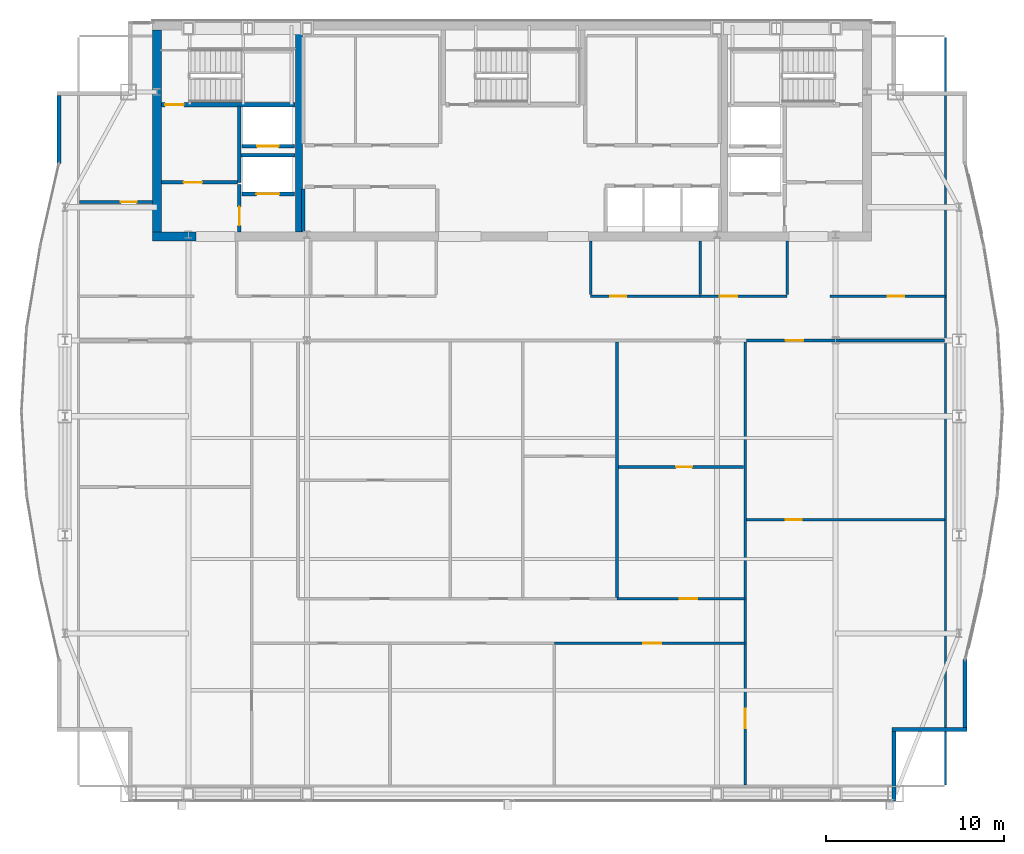
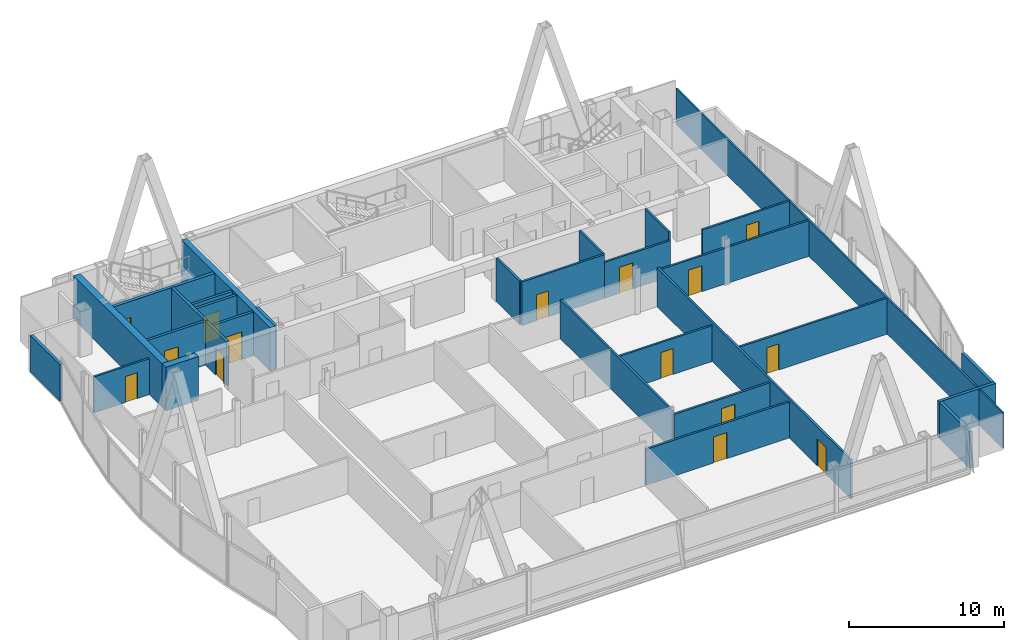
# One storey, part 27 of 31: 30 walls, 15 doors, 15 openings.
"""IFC4 building model written with IfcOpenShell, lengths in metres."""

from ifc_helpers import new_model, si_unit, direction, frame, frame_2d, origin, place, context, subcontext, project, spatial, rectangle, extrude, material, layer, layer_set, type_object, element, fill, save


model = new_model("IFC4")

# Units and contexts
model_context = context("Model", 3, precision=1e-05, world=origin(), true_north=direction((0.0, 1.0)))
body_context = subcontext(model_context, "Body", "Model", "MODEL_VIEW")
ifc_project = project(units=[si_unit("LENGTHUNIT", "METRE"), si_unit("AREAUNIT", "SQUARE_METRE"), si_unit("VOLUMEUNIT", "CUBIC_METRE"), si_unit("PLANEANGLEUNIT", "RADIAN"), si_unit("MASSUNIT", "GRAM", prefix="KILO")], contexts=[model_context])

# Site, building, storey
site_placement = place(None, origin())
site = spatial("IfcSite", under=ifc_project, at=site_placement, CompositionType="ELEMENT")
building_placement = place(site_placement, origin())
building = spatial("IfcBuilding", under=site, at=building_placement, Name="Khoronbel Lancet Exchange", CompositionType="ELEMENT")
storey_placement = place(building_placement, frame((0.0, 0.0, 325.39990234375)))
storey = spatial("IfcBuildingStorey", under=building, at=storey_placement, Name="L84", CompositionType="ELEMENT", Elevation=325.39990234375)

# Walls
ifc_material_1 = material(Name="Concrete C60/75", Category="concrete")
ifc_layer_1 = layer(ifc_material_1, 0.5, Name="Concrete C60/75")
ifc_layer_set_1 = layer_set([ifc_layer_1], Name="Concrete C60/75")
wall_type_1 = type_object("IfcWallType", Name="WL-CW4", PredefinedType="SHEAR", material=ifc_layer_set_1)
wall_1_placement = place(storey_placement, frame((16.449951171875, 41.800048828125, 0.0), z_axis=(0.0, 0.0, 1.0), x_axis=(0.0, 1.0, 0.0)))
element("IfcWall", 1, at=wall_1_placement, inside=storey, type_object=wall_type_1, Name="Level L84 rear core west shear wall", PredefinedType="SHEAR", context=body_context, shape_type="SweptSolid", body=[
    extrude(rectangle(XDim=11.39990234375, YDim=0.5, at=frame_2d((5.699951171875, 0.0))), origin(), (0.0, 0.0, 1.0), 3.440185546875),
])
wall_2_placement = place(storey_placement, frame((18.64990234375, 41.550048828125, 0.0), z_axis=(0.0, 0.0, 1.0), x_axis=(-1.0, 0.0, 0.0)))
element("IfcWall", 2, at=wall_2_placement, inside=storey, type_object=wall_type_1, Name="Level L84 rear core south shear wall pier P1", PredefinedType="SHEAR", context=body_context, shape_type="SweptSolid", body=[
    extrude(rectangle(XDim=2.449951171875, YDim=0.5, at=frame_2d((1.22509765625, 0.0))), origin(), (0.0, 0.0, 1.0), 3.440185546875),
])
ifc_material_2 = material(Name="Precast concrete C40/50", Category="concrete")
ifc_layer_2 = layer(ifc_material_2, 0.25, Name="Precast concrete C40/50")
ifc_layer_set_2 = layer_set([ifc_layer_2], Name="Precast concrete C40/50")
wall_type_2 = type_object("IfcWallType", Name="WL-EXT250", PredefinedType="SOLIDWALL", material=ifc_layer_set_2)
for number, where, z_axis, x_axis, name in (
    (3, (10.93994140625, 45.669921875, 0.0), (0.0, 0.0, 1.0), (0.0, 1.0, 0.0), "Level L84 notched-corner limestone pier 10"),
    (4, (61.9599609375, 17.72998046875, 0.0), (0.0, 0.0, 1.0), (0.0, -1.0, 0.0), "Level L84 notched-corner limestone pier 23"),
):
    element("IfcWall", number, at=place(storey_placement, frame(where, z_axis=z_axis, x_axis=x_axis)), inside=storey, type_object=wall_type_2, Name=name, PredefinedType="SOLIDWALL", context=body_context, shape_type="SweptSolid", body=[
        extrude(rectangle(XDim=3.830078125, YDim=0.219970703125, at=frame_2d((1.9150390625, 0.0))), origin(), (0.0, 0.0, 1.0), 2.880126953125),
    ])
wall_3_placement = place(storey_placement, frame((62.070068359375, 13.7900390625, 0.0), z_axis=(0.0, 0.0, 1.0), x_axis=(-1.0, 0.0, 0.0)))
element("IfcWall", 5, at=wall_3_placement, inside=storey, type_object=wall_type_2, Name="Level L84 notched-corner limestone pier 24", PredefinedType="SOLIDWALL", context=body_context, shape_type="SweptSolid", body=[
    extrude(rectangle(XDim=4.219970703125, YDim=0.219970703125, at=frame_2d((2.10986328125, 0.0))), origin(), (0.0, 0.0, 1.0), 2.880126953125),
])
wall_4_placement = place(storey_placement, frame((57.9599609375, 13.679931640625, 0.0), z_axis=(0.0, 0.0, 1.0), x_axis=(0.0, -1.0, 0.0)))
element("IfcWall", 6, at=wall_4_placement, inside=storey, type_object=wall_type_2, Name="Level L84 notched-corner limestone pier 25", PredefinedType="SOLIDWALL", context=body_context, shape_type="SweptSolid", body=[
    extrude(rectangle(XDim=3.909912109375, YDim=0.219970703125, at=frame_2d((1.955078125, 0.0))), origin(), (0.0, 0.0, 1.0), 2.880126953125),
])
ifc_material_3 = material(Name="Acoustic Metal-Stud & Mineral-Wool Gypsum Partition 120 mm", Category="gypsum")
ifc_layer_3 = layer(ifc_material_3, 0.1201171875, Name="Acoustic Metal-Stud & Mineral-Wool Gypsum Partition 120 mm")
ifc_layer_set_3 = layer_set([ifc_layer_3], Name="Acoustic Metal-Stud & Mineral-Wool Gypsum Partition 120 mm")
wall_type_3 = type_object("IfcWallType", Name="WL-PRT120", PredefinedType="PARTITIONING", material=ifc_layer_set_3)
for number, where, z_axis, x_axis, name in (
    (7, (40.8798828125, 38.280029296875, 0.0), (0.0, 0.0, 1.0), (0.0, 1.0, 0.0), "Level L84 interior partition PW-NP-0"),
    (8, (47.050048828125, 38.280029296875, 0.0), (0.0, 0.0, 1.0), (0.0, 1.0, 0.0), "Level L84 interior partition PW-NP-M"),
    (9, (51.949951171875, 38.280029296875, 0.0), (0.0, 0.0, 1.0), (0.0, 1.0, 0.0), "Level L84 interior partition PW-NP-1"),
):
    element("IfcWall", number, at=place(storey_placement, frame(where, z_axis=z_axis, x_axis=x_axis)), inside=storey, type_object=wall_type_3, Name=name, PredefinedType="PARTITIONING", context=body_context, shape_type="SweptSolid", body=[
        extrude(rectangle(XDim=3.02001953125, YDim=0.14990234375, at=frame_2d((1.510009765625, 0.0))), origin(), (0.0, 0.0, 1.0), 3.440185546875),
    ])

# Wall, opening, door
wall_5_placement = place(storey_placement, frame((12.094970703125, 43.5, 0.0), z_axis=(0.0, 0.0, 1.0), x_axis=(1.0, 0.0, 0.0)))
wall_5 = element("IfcWall", 10, at=wall_5_placement, inside=storey, type_object=wall_type_3, Name="Level L84 interior partition PW-NW-H", PredefinedType="PARTITIONING", context=body_context, shape_type="SweptSolid", body=[
    extrude(rectangle(XDim=4.10498046875, YDim=0.14990234375, at=frame_2d((2.052490234375, 0.0))), origin(), (0.0, 0.0, 1.0), 2.830078125),
])
opening_1_placement = place(wall_5_placement, frame((2.320068359375, 0.0, 0.0)))
opening_1 = element("IfcOpeningElement", 11, at=opening_1_placement, cuts=wall_5, Name="Opening D5", PredefinedType="OPENING", context=body_context, shape_type="SweptSolid", body=[
    extrude(rectangle(XDim=0.89990234375, YDim=2.050048828125, at=frame_2d((0.449951171875, 1.02490234375))), frame((0.0, 0.0849609375, 0.0), z_axis=(0.0, -1.0, 0.0), x_axis=(1.0, 0.0, 0.0)), (0.0, 0.0, 1.0), 0.169921875),
])
ifc_material_4 = material(Name="Acoustic Timber Pantry & Support Door", Category="wood")
door_type_1 = type_object("IfcDoorType", Name="DR-D5", OperationType="NOTDEFINED", PredefinedType="DOOR", material=ifc_material_4)
door_1_placement = place(opening_1_placement, origin())
door_1 = element("IfcDoor", 12, at=door_1_placement, inside=storey, type_object=door_type_1, Name="NW north room door L84-1", OperationType="SINGLE_SWING_RIGHT", OverallHeight=2.050048828125, OverallWidth=0.89990234375, PredefinedType="DOOR", context=body_context, shape_type="SweptSolid", body=[
    extrude(rectangle(XDim=0.89990234375, YDim=2.050048828125, at=frame_2d((0.449951171875, 1.02490234375))), frame((0.0, 0.02490234375, 0.0), z_axis=(0.0, -1.0, 0.0), x_axis=(1.0, 0.0, 0.0)), (0.0, 0.0, 1.0), 0.050048828125),
])
fill(opening_1, door_1)

wall_6_placement = place(storey_placement, frame((49.659912109375, 25.60009765625, 0.0), z_axis=(0.0, 0.0, 1.0), x_axis=(1.0, 0.0, 0.0)))
wall_6 = element("IfcWall", 13, at=wall_6_placement, inside=storey, type_object=wall_type_3, Name="Level L84 interior partition PW-Z4-EH", PredefinedType="PARTITIONING", context=body_context, shape_type="SweptSolid", body=[
    extrude(rectangle(XDim=11.14501953125, YDim=0.14990234375, at=frame_2d((5.572509765625, 0.0))), origin(), (0.0, 0.0, 1.0), 2.830078125),
])
opening_2_placement = place(wall_6_placement, frame((2.199951171875, 0.0, 0.0)))
opening_2 = element("IfcOpeningElement", 14, at=opening_2_placement, cuts=wall_6, Name="Opening D5", PredefinedType="OPENING", context=body_context, shape_type="SweptSolid", body=[
    extrude(rectangle(XDim=0.89990234375, YDim=2.050048828125, at=frame_2d((0.449951171875, 1.02490234375))), frame((0.0, 0.0849609375, 0.0), z_axis=(0.0, -1.0, 0.0), x_axis=(1.0, 0.0, 0.0)), (0.0, 0.0, 1.0), 0.169921875),
])
door_2_placement = place(opening_2_placement, origin())
door_2 = element("IfcDoor", 15, at=door_2_placement, inside=storey, type_object=door_type_1, Name="East lens inner door L84-1", OperationType="SINGLE_SWING_LEFT", OverallHeight=2.050048828125, OverallWidth=0.89990234375, PredefinedType="DOOR", context=body_context, shape_type="SweptSolid", body=[
    extrude(rectangle(XDim=0.89990234375, YDim=2.050048828125, at=frame_2d((0.449951171875, 1.02490234375))), frame((0.0, 0.02490234375, 0.0), z_axis=(0.0, -1.0, 0.0), x_axis=(1.0, 0.0, 0.0)), (0.0, 0.0, 1.0), 0.050048828125),
])
fill(opening_2, door_2)

wall_7_placement = place(storey_placement, frame((42.447998046875, 28.572265625, 0.0), z_axis=(0.0, 0.0, 1.0), x_axis=(1.0, 0.0, 0.0)))
wall_7 = element("IfcWall", 16, at=wall_7_placement, inside=storey, type_object=wall_type_3, Name="Level L84 interior partition PW-Z4C-H4", PredefinedType="PARTITIONING", context=body_context, shape_type="SweptSolid", body=[
    extrude(rectangle(XDim=7.052001953125, YDim=0.14990234375, at=frame_2d((3.52587890625, 0.0))), origin(), (0.0, 0.0, 1.0), 2.830078125),
])
opening_3_placement = place(wall_7_placement, frame((3.245361328125, 0.0, 0.0)))
opening_3 = element("IfcOpeningElement", 17, at=opening_3_placement, cuts=wall_7, Name="Opening D5", PredefinedType="OPENING", context=body_context, shape_type="SweptSolid", body=[
    extrude(rectangle(XDim=0.89990234375, YDim=2.050048828125, at=frame_2d((0.449951171875, 1.02490234375))), frame((0.0, 0.0849609375, 0.0), z_axis=(0.0, -1.0, 0.0), x_axis=(1.0, 0.0, 0.0)), (0.0, 0.0, 1.0), 0.169921875),
])
door_3_placement = place(opening_3_placement, origin())
door_3 = element("IfcDoor", 18, at=door_3_placement, inside=storey, type_object=door_type_1, Name="Z4C inner door 4 L84-1", OperationType="SINGLE_SWING_RIGHT", OverallHeight=2.050048828125, OverallWidth=0.89990234375, PredefinedType="DOOR", context=body_context, shape_type="SweptSolid", body=[
    extrude(rectangle(XDim=0.89990234375, YDim=2.050048828125, at=frame_2d((0.449951171875, 1.02490234375))), frame((0.0, 0.02490234375, 0.0), z_axis=(0.0, -1.0, 0.0), x_axis=(1.0, 0.0, 0.0)), (0.0, 0.0, 1.0), 0.050048828125),
])
fill(opening_3, door_3)

# Wall
wall_8_placement = place(storey_placement, frame((60.8701171875, 10.6650390625, 0.0), z_axis=(0.0, 0.0, 1.0), x_axis=(0.0, 1.0, 0.0)))
element("IfcWall", 19, at=wall_8_placement, inside=storey, type_object=wall_type_3, Name="Level L84 interior partition PW-LIN-E", PredefinedType="PARTITIONING", context=body_context, shape_type="SweptSolid", body=[
    extrude(rectangle(XDim=42.10986328125, YDim=0.1201171875, at=frame_2d((21.054931640625, 0.0))), origin(), (0.0, 0.0, 1.0), 2.830078125),
])

# Wall, opening, door
ifc_material_5 = material(Name="Fire-Rated Twin-Stud Acoustic Gypsum Partition 150 mm", Category="gypsum")
ifc_layer_4 = layer(ifc_material_5, 0.14990234375, Name="Fire-Rated Twin-Stud Acoustic Gypsum Partition 150 mm")
ifc_layer_set_4 = layer_set([ifc_layer_4], Name="Fire-Rated Twin-Stud Acoustic Gypsum Partition 150 mm")
wall_type_4 = type_object("IfcWallType", Name="WL-PRT150C", PredefinedType="PARTITIONING", material=ifc_layer_set_4)
wall_9_placement = place(storey_placement, frame((40.8798828125, 38.199951171875, 0.0), z_axis=(0.0, 0.0, 1.0), x_axis=(1.0, 0.0, 0.0)))
wall_9 = element("IfcWall", 20, at=wall_9_placement, inside=storey, type_object=wall_type_4, Name="Level L84 interior partition PW-NP-S1", PredefinedType="PARTITIONING", context=body_context, shape_type="SweptSolid", body=[
    extrude(rectangle(XDim=6.170166015625, YDim=0.14990234375, at=frame_2d((3.0849609375, 0.0))), origin(), (0.0, 0.0, 1.0), 3.440185546875),
])
opening_4_placement = place(wall_9_placement, frame((1.10009765625, 0.0, 0.0)))
opening_4 = element("IfcOpeningElement", 21, at=opening_4_placement, cuts=wall_9, Name="Opening D5", PredefinedType="OPENING", context=body_context, shape_type="SweptSolid", body=[
    extrude(rectangle(XDim=0.89990234375, YDim=2.050048828125, at=frame_2d((0.449951171875, 1.02490234375))), frame((0.0, 0.0849609375, 0.0), z_axis=(0.0, -1.0, 0.0), x_axis=(1.0, 0.0, 0.0)), (0.0, 0.0, 1.0), 0.169921875),
])
door_4_placement = place(opening_4_placement, origin())
door_4 = element("IfcDoor", 22, at=door_4_placement, inside=storey, type_object=door_type_1, Name="Floor refreshment pantry door L84-1", OperationType="SINGLE_SWING_RIGHT", OverallHeight=2.050048828125, OverallWidth=0.89990234375, PredefinedType="DOOR", context=body_context, shape_type="SweptSolid", body=[
    extrude(rectangle(XDim=0.89990234375, YDim=2.050048828125, at=frame_2d((0.449951171875, 1.02490234375))), frame((0.0, 0.02490234375, 0.0), z_axis=(0.0, -1.0, 0.0), x_axis=(1.0, 0.0, 0.0)), (0.0, 0.0, 1.0), 0.050048828125),
])
fill(opening_4, door_4)

wall_10_placement = place(storey_placement, frame((47.050048828125, 38.199951171875, 0.0), z_axis=(0.0, 0.0, 1.0), x_axis=(1.0, 0.0, 0.0)))
wall_10 = element("IfcWall", 23, at=wall_10_placement, inside=storey, type_object=wall_type_4, Name="Level L84 interior partition PW-NP-S2", PredefinedType="PARTITIONING", context=body_context, shape_type="SweptSolid", body=[
    extrude(rectangle(XDim=4.89990234375, YDim=0.14990234375, at=frame_2d((2.449951171875, 0.0))), origin(), (0.0, 0.0, 1.0), 2.830078125),
])
opening_5_placement = place(wall_10_placement, frame((1.10009765625, 0.0, 0.0)))
opening_5 = element("IfcOpeningElement", 24, at=opening_5_placement, cuts=wall_10, Name="Opening D2", PredefinedType="OPENING", context=body_context, shape_type="SweptSolid", body=[
    extrude(rectangle(XDim=1.0, YDim=2.050048828125, at=frame_2d((0.5, 1.02490234375))), frame((0.0, 0.0849609375, 0.0), z_axis=(0.0, -1.0, 0.0), x_axis=(1.0, 0.0, 0.0)), (0.0, 0.0, 1.0), 0.169921875),
])
ifc_material_6 = material(Name="Acoustic Veneered Timber & Bronze Frame Door", Category="wood")
door_type_2 = type_object("IfcDoorType", Name="DR-D2", OperationType="NOTDEFINED", PredefinedType="DOOR", material=ifc_material_6)
door_5_placement = place(opening_5_placement, origin())
door_5 = element("IfcDoor", 25, at=door_5_placement, inside=storey, type_object=door_type_2, Name="Floor store door L84-1", OperationType="SINGLE_SWING_LEFT", OverallHeight=2.050048828125, OverallWidth=1.0, PredefinedType="DOOR", context=body_context, shape_type="SweptSolid", body=[
    extrude(rectangle(XDim=1.0, YDim=2.050048828125, at=frame_2d((0.5, 1.02490234375))), frame((0.0, 0.02490234375, 0.0), z_axis=(0.0, -1.0, 0.0), x_axis=(1.0, 0.0, 0.0)), (0.0, 0.0, 1.0), 0.050048828125),
])
fill(opening_5, door_5)

wall_11_placement = place(storey_placement, frame((54.35009765625, 38.199951171875, 0.0), z_axis=(0.0, 0.0, 1.0), x_axis=(1.0, 0.0, 0.0)))
wall_11 = element("IfcWall", 26, at=wall_11_placement, inside=storey, type_object=wall_type_4, Name="Level L84 interior partition PW-NE-S", PredefinedType="PARTITIONING", context=body_context, shape_type="SweptSolid", body=[
    extrude(rectangle(XDim=6.52001953125, YDim=0.14990234375, at=frame_2d((3.260009765625, 0.0))), origin(), (0.0, 0.0, 1.0), 2.830078125),
])
opening_6_placement = place(wall_11_placement, frame((3.25, 0.0, 0.0)))
opening_6 = element("IfcOpeningElement", 27, at=opening_6_placement, cuts=wall_11, Name="Opening D1", PredefinedType="OPENING", context=body_context, shape_type="SweptSolid", body=[
    extrude(rectangle(XDim=0.949951171875, YDim=2.050048828125, at=frame_2d((0.47509765625, 1.02490234375))), frame((0.0, 0.0849609375, 0.0), z_axis=(0.0, -1.0, 0.0), x_axis=(1.0, 0.0, 0.0)), (0.0, 0.0, 1.0), 0.169921875),
])
door_type_3 = type_object("IfcDoorType", Name="DR-D1", OperationType="NOTDEFINED", PredefinedType="DOOR", material=ifc_material_6)
door_6_placement = place(opening_6_placement, origin())
door_6 = element("IfcDoor", 28, at=door_6_placement, inside=storey, type_object=door_type_3, Name="NE corner room door L84-1", OperationType="SINGLE_SWING_LEFT", OverallHeight=2.050048828125, OverallWidth=0.949951171875, PredefinedType="DOOR", context=body_context, shape_type="SweptSolid", body=[
    extrude(rectangle(XDim=0.949951171875, YDim=2.050048828125, at=frame_2d((0.47509765625, 1.02490234375))), frame((0.0, 0.02490234375, 0.0), z_axis=(0.0, -1.0, 0.0), x_axis=(1.0, 0.0, 0.0)), (0.0, 0.0, 1.0), 0.050048828125),
])
fill(opening_6, door_6)

wall_12_placement = place(storey_placement, frame((49.580078125, 10.6650390625, 0.0), z_axis=(0.0, 0.0, 1.0), x_axis=(0.0, 1.0, 0.0)))
wall_12 = element("IfcWall", 29, at=wall_12_placement, inside=storey, type_object=wall_type_4, Name="Level L84 interior partition PW-Z4-PE", PredefinedType="PARTITIONING", context=body_context, shape_type="SweptSolid", body=[
    extrude(rectangle(XDim=24.955078125, YDim=0.14990234375, at=frame_2d((12.4775390625, 0.0))), origin(), (0.0, 0.0, 1.0), 3.070068359375),
])
opening_7_placement = place(wall_12_placement, frame((3.199951171875, 0.0, 0.0)))
opening_7 = element("IfcOpeningElement", 30, at=opening_7_placement, cuts=wall_12, Name="Opening D6", PredefinedType="OPENING", context=body_context, shape_type="SweptSolid", body=[
    extrude(rectangle(XDim=1.10009765625, YDim=2.10009765625, at=frame_2d((0.550048828125, 1.050048828125))), frame((0.0, 0.0849609375, 0.0), z_axis=(0.0, -1.0, 0.0), x_axis=(1.0, 0.0, 0.0)), (0.0, 0.0, 1.0), 0.169921875),
])
ifc_material_7 = material(Name="Acoustic Bronze-Veneer Executive Suite Door", Category="wood")
door_type_4 = type_object("IfcDoorType", Name="DR-D6", OperationType="NOTDEFINED", PredefinedType="DOOR", material=ifc_material_7)
door_7_placement = place(opening_7_placement, origin())
door_7 = element("IfcDoor", 31, at=door_7_placement, inside=storey, type_object=door_type_4, Name="East lens south door L84-1", OperationType="SINGLE_SWING_LEFT", OverallHeight=2.10009765625, OverallWidth=1.10009765625, PredefinedType="DOOR", context=body_context, shape_type="SweptSolid", body=[
    extrude(rectangle(XDim=1.10009765625, YDim=2.10009765625, at=frame_2d((0.550048828125, 1.050048828125))), frame((0.0, 0.02490234375, 0.0), z_axis=(0.0, -1.0, 0.0), x_axis=(1.0, 0.0, 0.0)), (0.0, 0.0, 1.0), 0.050048828125),
])
fill(opening_7, door_7)

wall_13_placement = place(storey_placement, frame((49.659912109375, 35.699951171875, 0.0), z_axis=(0.0, 0.0, 1.0), x_axis=(1.0, 0.0, 0.0)))
wall_13 = element("IfcWall", 32, at=wall_13_placement, inside=storey, type_object=wall_type_4, Name="Level L84 interior partition PW-Z4-EN2", PredefinedType="PARTITIONING", context=body_context, shape_type="SweptSolid", body=[
    extrude(rectangle(XDim=11.14501953125, YDim=0.14990234375, at=frame_2d((5.572509765625, 0.0))), origin(), (0.0, 0.0, 1.0), 2.830078125),
])
opening_8_placement = place(wall_13_placement, frame((2.199951171875, 0.0, 0.0)))
opening_8 = element("IfcOpeningElement", 33, at=opening_8_placement, cuts=wall_13, Name="Opening D2", PredefinedType="OPENING", context=body_context, shape_type="SweptSolid", body=[
    extrude(rectangle(XDim=1.0, YDim=2.050048828125, at=frame_2d((0.5, 1.02490234375))), frame((0.0, 0.0849609375, 0.0), z_axis=(0.0, -1.0, 0.0), x_axis=(1.0, 0.0, 0.0)), (0.0, 0.0, 1.0), 0.169921875),
])
door_8_placement = place(opening_8_placement, origin())
door_8 = element("IfcDoor", 34, at=door_8_placement, inside=storey, type_object=door_type_2, Name="East lens north door L84-1", OperationType="SINGLE_SWING_RIGHT", OverallHeight=2.050048828125, OverallWidth=1.0, PredefinedType="DOOR", context=body_context, shape_type="SweptSolid", body=[
    extrude(rectangle(XDim=1.0, YDim=2.050048828125, at=frame_2d((0.5, 1.02490234375))), frame((0.0, 0.02490234375, 0.0), z_axis=(0.0, -1.0, 0.0), x_axis=(1.0, 0.0, 0.0)), (0.0, 0.0, 1.0), 0.050048828125),
])
fill(opening_8, door_8)

# Wall
wall_14_placement = place(storey_placement, frame((42.3681640625, 21.235107421875, 0.0), z_axis=(0.0, 0.0, 1.0), x_axis=(0.0, 1.0, 0.0)))
element("IfcWall", 35, at=wall_14_placement, inside=storey, type_object=wall_type_4, Name="Level L84 interior partition PW-Z4C-V3", PredefinedType="PARTITIONING", context=body_context, shape_type="SweptSolid", body=[
    extrude(rectangle(XDim=14.385009765625, YDim=0.14990234375, at=frame_2d((7.1923828125, 0.0))), origin(), (0.0, 0.0, 1.0), 3.070068359375),
])

# Wall, opening, door
ifc_material_8 = material(Name="Fire-Rated Twin-Stud Acoustic Gypsum Partition 160 mm", Category="gypsum")
ifc_layer_5 = layer(ifc_material_8, 0.159912109375, Name="Fire-Rated Twin-Stud Acoustic Gypsum Partition 160 mm")
ifc_layer_set_5 = layer_set([ifc_layer_5], Name="Fire-Rated Twin-Stud Acoustic Gypsum Partition 160 mm")
wall_type_5 = type_object("IfcWallType", Name="WL-PRT160C", PredefinedType="PARTITIONING", material=ifc_layer_set_5)
wall_15_placement = place(storey_placement, frame((42.3681640625, 21.14990234375, 0.0), z_axis=(0.0, 0.0, 1.0), x_axis=(1.0, 0.0, 0.0)))
wall_15 = element("IfcWall", 36, at=wall_15_placement, inside=storey, type_object=wall_type_5, Name="Level L84 interior partition PW-Z4C-COR4", PredefinedType="PARTITIONING", context=body_context, shape_type="SweptSolid", body=[
    extrude(rectangle(XDim=7.2119140625, YDim=0.159912109375, at=frame_2d((3.60595703125, 0.0))), origin(), (0.0, 0.0, 1.0), 2.830078125),
])
opening_9_placement = place(wall_15_placement, frame((3.529052734375, 0.0, 0.0)))
opening_9 = element("IfcOpeningElement", 37, at=opening_9_placement, cuts=wall_15, Name="Opening D2", PredefinedType="OPENING", context=body_context, shape_type="SweptSolid", body=[
    extrude(rectangle(XDim=1.0, YDim=2.050048828125, at=frame_2d((0.5, 1.02490234375))), frame((0.0, 0.08984375, 0.0), z_axis=(0.0, -1.0, 0.0), x_axis=(1.0, 0.0, 0.0)), (0.0, 0.0, 1.0), 0.179931640625),
])
door_9_placement = place(opening_9_placement, origin())
door_9 = element("IfcDoor", 38, at=door_9_placement, inside=storey, type_object=door_type_2, Name="Z4C bay 4 door L84-1", OperationType="SINGLE_SWING_LEFT", OverallHeight=2.050048828125, OverallWidth=1.0, PredefinedType="DOOR", context=body_context, shape_type="SweptSolid", body=[
    extrude(rectangle(XDim=1.0, YDim=2.050048828125, at=frame_2d((0.5, 1.02490234375))), frame((0.0, 0.02490234375, 0.0), z_axis=(0.0, -1.0, 0.0), x_axis=(1.0, 0.0, 0.0)), (0.0, 0.0, 1.0), 0.050048828125),
])
fill(opening_9, door_9)

wall_16_placement = place(storey_placement, frame((38.83837890625, 18.64990234375, 0.0), z_axis=(0.0, 0.0, 1.0), x_axis=(1.0, 0.0, 0.0)))
wall_16 = element("IfcWall", 39, at=wall_16_placement, inside=storey, type_object=wall_type_5, Name="Level L84 interior partition PW-Z4S-COR3", PredefinedType="PARTITIONING", context=body_context, shape_type="SweptSolid", body=[
    extrude(rectangle(XDim=10.74169921875, YDim=0.159912109375, at=frame_2d((5.370849609375, 0.0))), origin(), (0.0, 0.0, 1.0), 2.830078125),
])
opening_10_placement = place(wall_16_placement, frame((5.011474609375, 0.0, 0.0)))
opening_10 = element("IfcOpeningElement", 40, at=opening_10_placement, cuts=wall_16, Name="Opening D2", PredefinedType="OPENING", context=body_context, shape_type="SweptSolid", body=[
    extrude(rectangle(XDim=1.0, YDim=2.050048828125, at=frame_2d((0.5, 1.02490234375))), frame((0.0, 0.08984375, 0.0), z_axis=(0.0, -1.0, 0.0), x_axis=(1.0, 0.0, 0.0)), (0.0, 0.0, 1.0), 0.179931640625),
])
door_10_placement = place(opening_10_placement, origin())
door_10 = element("IfcDoor", 41, at=door_10_placement, inside=storey, type_object=door_type_2, Name="Z4S bay 3 door L84-1", OperationType="SINGLE_SWING_LEFT", OverallHeight=2.050048828125, OverallWidth=1.0, PredefinedType="DOOR", context=body_context, shape_type="SweptSolid", body=[
    extrude(rectangle(XDim=1.0, YDim=2.050048828125, at=frame_2d((0.5, 1.02490234375))), frame((0.0, 0.02490234375, 0.0), z_axis=(0.0, -1.0, 0.0), x_axis=(1.0, 0.0, 0.0)), (0.0, 0.0, 1.0), 0.050048828125),
])
fill(opening_10, door_10)

ifc_material_9 = material(Name="Autoclaved Aerated Concrete Blockwork 200 mm", Category="masonry")
ifc_layer_6 = layer(ifc_material_9, 0.199951171875, Name="Autoclaved Aerated Concrete Blockwork 200 mm")
ifc_layer_set_6 = layer_set([ifc_layer_6], Name="Autoclaved Aerated Concrete Blockwork 200 mm")
wall_type_6 = type_object("IfcWallType", Name="WL-PRT200", PredefinedType="PARTITIONING", material=ifc_layer_set_6)
wall_17_placement = place(storey_placement, frame((24.2099609375, 43.949951171875, 0.0), z_axis=(0.0, 0.0, 1.0), x_axis=(-1.0, 0.0, 0.0)))
wall_17 = element("IfcWall", 42, at=wall_17_placement, inside=storey, type_object=wall_type_6, Name="Level L84 elevator hoistway landing front wall SVLW", PredefinedType="PARTITIONING", context=body_context, shape_type="SweptSolid", body=[
    extrude(rectangle(XDim=2.969970703125, YDim=0.199951171875, at=frame_2d((1.48486328125, 0.0))), origin(), (0.0, 0.0, 1.0), 3.440185546875),
])
opening_11_placement = place(wall_17_placement, frame((0.860107421875, 0.0, 0.0)))
opening_11 = element("IfcOpeningElement", 43, at=opening_11_placement, cuts=wall_17, Name="Opening LD-SVL1", PredefinedType="OPENING", context=body_context, shape_type="SweptSolid", body=[
    extrude(rectangle(XDim=1.300048828125, YDim=2.179931640625, at=frame_2d((0.64990234375, 1.08984375))), frame((0.0, 0.10986328125, 0.0), z_axis=(0.0, -1.0, 0.0), x_axis=(1.0, 0.0, 0.0)), (0.0, 0.0, 1.0), 0.219970703125),
])
ifc_material_10 = material(Name="Heavy-Duty Bi-Parting Goods Lift Landing Door", Category="steel")
door_type_5 = type_object("IfcDoorType", Name="DR-LD-SVL", OperationType="NOTDEFINED", PredefinedType="DOOR", material=ifc_material_10)
door_11_placement = place(opening_11_placement, origin())
door_11 = element("IfcDoor", 44, at=door_11_placement, inside=storey, type_object=door_type_5, Name="Elevator landing sliding door LD-SVL1 L84", OperationType="SLIDING_TO_LEFT", OverallHeight=2.179931640625, OverallWidth=1.300048828125, PredefinedType="DOOR", context=body_context, shape_type="SweptSolid", body=[
    extrude(rectangle(XDim=1.300048828125, YDim=2.179931640625, at=frame_2d((0.64990234375, 1.08984375))), frame((0.0, 0.02490234375, 0.0), z_axis=(0.0, -1.0, 0.0), x_axis=(1.0, 0.0, 0.0)), (0.0, 0.0, 1.0), 0.050048828125),
])
fill(opening_11, door_11)

wall_18_placement = place(storey_placement, frame((24.2099609375, 46.64990234375, 0.0), z_axis=(0.0, 0.0, 1.0), x_axis=(-1.0, 0.0, 0.0)))
wall_18 = element("IfcWall", 45, at=wall_18_placement, inside=storey, type_object=wall_type_6, Name="Level L84 elevator hoistway landing front wall FFLW", PredefinedType="PARTITIONING", context=body_context, shape_type="SweptSolid", body=[
    extrude(rectangle(XDim=2.969970703125, YDim=0.199951171875, at=frame_2d((1.48486328125, 0.0))), origin(), (0.0, 0.0, 1.0), 3.440185546875),
])
opening_12_placement = place(wall_18_placement, frame((0.909912109375, 0.0, 0.0)))
opening_12 = element("IfcOpeningElement", 46, at=opening_12_placement, cuts=wall_18, Name="Opening LD-FFL1", PredefinedType="OPENING", context=body_context, shape_type="SweptSolid", body=[
    extrude(rectangle(XDim=1.199951171875, YDim=2.179931640625, at=frame_2d((0.60009765625, 1.08984375))), frame((0.0, 0.10986328125, 0.0), z_axis=(0.0, -1.0, 0.0), x_axis=(1.0, 0.0, 0.0)), (0.0, 0.0, 1.0), 0.219970703125),
])
ifc_material_11 = material(Name="Fire-Rated Stainless Bi-Parting Firefighting Lift Door", Category="steel")
door_type_6 = type_object("IfcDoorType", Name="DR-LD-FFL", OperationType="NOTDEFINED", PredefinedType="DOOR", material=ifc_material_11)
door_12_placement = place(opening_12_placement, origin())
door_12 = element("IfcDoor", 47, at=door_12_placement, inside=storey, type_object=door_type_6, Name="Elevator landing sliding door LD-FFL1 L84", OperationType="SLIDING_TO_LEFT", OverallHeight=2.179931640625, OverallWidth=1.199951171875, PredefinedType="DOOR", context=body_context, shape_type="SweptSolid", body=[
    extrude(rectangle(XDim=1.199951171875, YDim=2.179931640625, at=frame_2d((0.60009765625, 1.08984375))), frame((0.0, 0.02490234375, 0.0), z_axis=(0.0, -1.0, 0.0), x_axis=(1.0, 0.0, 0.0)), (0.0, 0.0, 1.0), 0.050048828125),
])
fill(opening_12, door_12)

# Wall
wall_19_placement = place(storey_placement, frame((21.10009765625, 44.60009765625, 0.0), z_axis=(0.0, 0.0, 1.0), x_axis=(0.0, 1.0, 0.0)))
element("IfcWall", 48, at=wall_19_placement, inside=storey, type_object=wall_type_6, Name="Level L84 interior partition CW-FFLW-E", PredefinedType="PARTITIONING", context=body_context, shape_type="SweptSolid", body=[
    extrude(rectangle(XDim=4.2998046875, YDim=0.199951171875, at=frame_2d((2.14990234375, 0.0))), origin(), (0.0, 0.0, 1.0), 3.440185546875),
])

# Wall, opening, door
wall_20_placement = place(storey_placement, frame((16.699951171875, 44.60009765625, 0.0), z_axis=(0.0, 0.0, 1.0), x_axis=(1.0, 0.0, 0.0)))
wall_20 = element("IfcWall", 49, at=wall_20_placement, inside=storey, type_object=wall_type_6, Name="Level L84 interior partition CW-FFLW-S", PredefinedType="PARTITIONING", context=body_context, shape_type="SweptSolid", body=[
    extrude(rectangle(XDim=4.300048828125, YDim=0.199951171875, at=frame_2d((2.14990234375, 0.0))), origin(), (0.0, 0.0, 1.0), 3.440185546875),
])
opening_13_placement = place(wall_20_placement, frame((1.25, 0.0, 0.0)))
opening_13 = element("IfcOpeningElement", 50, at=opening_13_placement, cuts=wall_20, Name="Opening FD1", PredefinedType="OPENING", context=body_context, shape_type="SweptSolid", body=[
    extrude(rectangle(XDim=1.050048828125, YDim=2.14990234375, at=frame_2d((0.52490234375, 1.074951171875))), frame((0.0, 0.10986328125, 0.0), z_axis=(0.0, -1.0, 0.0), x_axis=(1.0, 0.0, 0.0)), (0.0, 0.0, 1.0), 0.219970703125),
])
ifc_material_12 = material(Name="Fire-Rated Painted Steel Door Assembly", Category="steel")
door_type_7 = type_object("IfcDoorType", Name="DR-FD1", OperationType="NOTDEFINED", PredefinedType="DOOR", material=ifc_material_12)
door_13_placement = place(opening_13_placement, origin())
door_13 = element("IfcDoor", 51, at=door_13_placement, inside=storey, type_object=door_type_7, Name="West firefighting lobby FD90S door L84-1", OperationType="SINGLE_SWING_LEFT", OverallHeight=2.14990234375, OverallWidth=1.050048828125, PredefinedType="DOOR", context=body_context, shape_type="SweptSolid", body=[
    extrude(rectangle(XDim=1.050048828125, YDim=2.14990234375, at=frame_2d((0.52490234375, 1.074951171875))), frame((0.0, 0.02490234375, 0.0), z_axis=(0.0, -1.0, 0.0), x_axis=(1.0, 0.0, 0.0)), (0.0, 0.0, 1.0), 0.050048828125),
])
fill(opening_13, door_13)

# Wall
wall_21_placement = place(storey_placement, frame((21.199951171875, 46.1201171875, 0.0), z_axis=(0.0, 0.0, 1.0), x_axis=(1.0, 0.0, 0.0)))
element("IfcWall", 52, at=wall_21_placement, inside=storey, type_object=wall_type_6, Name="Level L84 interior partition CW-FFL1-S", PredefinedType="PARTITIONING", context=body_context, shape_type="SweptSolid", body=[
    extrude(rectangle(XDim=3.02001953125, YDim=0.199951171875, at=frame_2d((1.510009765625, 0.0))), origin(), (0.0, 0.0, 1.0), 3.440185546875),
])

# Wall, opening, door
wall_22_placement = place(storey_placement, frame((21.10009765625, 41.800048828125, 0.0), z_axis=(0.0, 0.0, 1.0), x_axis=(0.0, 1.0, 0.0)))
wall_22 = element("IfcWall", 53, at=wall_22_placement, inside=storey, type_object=wall_type_6, Name="Level L84 interior partition CW-SVLW-W", PredefinedType="PARTITIONING", context=body_context, shape_type="SweptSolid", body=[
    extrude(rectangle(XDim=2.695068359375, YDim=0.199951171875, at=frame_2d((1.34765625, 0.0))), origin(), (0.0, 0.0, 1.0), 3.440185546875),
])
opening_14_placement = place(wall_22_placement, frame((0.3798828125, 0.0, 0.0)))
opening_14 = element("IfcOpeningElement", 54, at=opening_14_placement, cuts=wall_22, Name="Opening FD1", PredefinedType="OPENING", context=body_context, shape_type="SweptSolid", body=[
    extrude(rectangle(XDim=1.050048828125, YDim=2.14990234375, at=frame_2d((0.52490234375, 1.074951171875))), frame((0.0, 0.10986328125, 0.0), z_axis=(0.0, -1.0, 0.0), x_axis=(1.0, 0.0, 0.0)), (0.0, 0.0, 1.0), 0.219970703125),
])
door_14_placement = place(opening_14_placement, origin())
door_14 = element("IfcDoor", 55, at=door_14_placement, inside=storey, type_object=door_type_7, Name="West service lift lobby door L84-1", OperationType="SINGLE_SWING_RIGHT", OverallHeight=2.14990234375, OverallWidth=1.050048828125, PredefinedType="DOOR", context=body_context, shape_type="SweptSolid", body=[
    extrude(rectangle(XDim=1.050048828125, YDim=2.14990234375, at=frame_2d((0.52490234375, 1.074951171875))), frame((0.0, 0.02490234375, 0.0), z_axis=(0.0, -1.0, 0.0), x_axis=(1.0, 0.0, 0.0)), (0.0, 0.0, 1.0), 0.050048828125),
])
fill(opening_14, door_14)

# Walls
wall_23_placement = place(storey_placement, frame((24.699951171875, 41.85009765625, 0.0), z_axis=(0.0, 0.0, 1.0), x_axis=(0.0, 1.0, 0.0)))
element("IfcWall", 56, at=wall_23_placement, inside=storey, type_object=wall_type_6, Name="Level L84 interior partition CW-PM-RW", PredefinedType="PARTITIONING", context=body_context, shape_type="SweptSolid", body=[
    extrude(rectangle(XDim=2.39501953125, YDim=0.199951171875, at=frame_2d((1.197509765625, 0.0))), origin(), (0.0, 0.0, 1.0), 3.440185546875),
])
ifc_layer_7 = layer(ifc_material_1, 0.39990234375, Name="Concrete C60/75")
ifc_layer_set_7 = layer_set([ifc_layer_7], Name="Concrete C60/75")
wall_type_7 = type_object("IfcWallType", Name="WL-SW2", PredefinedType="SHEAR", material=ifc_layer_set_7)
wall_24_placement = place(storey_placement, frame((24.449951171875, 41.800048828125, 0.0), z_axis=(0.0, 0.0, 1.0), x_axis=(0.0, 1.0, 0.0)))
element("IfcWall", 57, at=wall_24_placement, inside=storey, type_object=wall_type_7, Name="Level L84 rear core internal spine shear wall IW", PredefinedType="SHEAR", context=body_context, shape_type="SweptSolid", body=[
    extrude(rectangle(XDim=11.39990234375, YDim=0.39990234375, at=frame_2d((5.699951171875, 0.0))), origin(), (0.0, 0.0, 1.0), 3.440185546875),
])

# Wall, opening, door
ifc_layer_8 = layer(ifc_material_1, 0.260009765625, Name="Concrete C60/75")
ifc_layer_set_8 = layer_set([ifc_layer_8], Name="Concrete C60/75")
wall_type_8 = type_object("IfcWallType", Name="WL-SW3", PredefinedType="SHEAR", material=ifc_layer_set_8)
wall_25_placement = place(storey_placement, frame((16.699951171875, 48.97998046875, 0.0), z_axis=(0.0, 0.0, 1.0), x_axis=(1.0, 0.0, 0.0)))
wall_25 = element("IfcWall", 58, at=wall_25_placement, inside=storey, type_object=wall_type_8, Name="Level L84 west stairwell structural south wall", PredefinedType="SHEAR", context=body_context, shape_type="SweptSolid", body=[
    extrude(rectangle(XDim=7.52001953125, YDim=0.239990234375, at=frame_2d((3.760009765625, 0.0))), origin(), (0.0, 0.0, 1.0), 3.440185546875),
])
opening_15_placement = place(wall_25_placement, frame((0.219970703125, 0.0, 0.0)))
opening_15 = element("IfcOpeningElement", 59, at=opening_15_placement, cuts=wall_25, Name="Opening SD1", PredefinedType="OPENING", context=body_context, shape_type="SweptSolid", body=[
    extrude(rectangle(XDim=1.050048828125, YDim=2.14990234375, at=frame_2d((0.52490234375, 1.074951171875))), frame((0.0, 0.1298828125, 0.0), z_axis=(0.0, -1.0, 0.0), x_axis=(1.0, 0.0, 0.0)), (0.0, 0.0, 1.0), 0.260009765625),
])
ifc_material_13 = material(Name="Fire-Rated Steel Stairwell Door Assembly", Category="steel")
door_type_8 = type_object("IfcDoorType", Name="DR-SD1", OperationType="NOTDEFINED", PredefinedType="DOOR", material=ifc_material_13)
door_15_placement = place(opening_15_placement, origin())
door_15 = element("IfcDoor", 60, at=door_15_placement, inside=storey, type_object=door_type_8, Name="Protected exit stair ST1 door L84", OperationType="SINGLE_SWING_LEFT", OverallHeight=2.14990234375, OverallWidth=1.050048828125, PredefinedType="DOOR", context=body_context, shape_type="SweptSolid", body=[
    extrude(rectangle(XDim=1.050048828125, YDim=2.14990234375, at=frame_2d((0.52490234375, 1.074951171875))), frame((0.0, 0.02490234375, 0.0), z_axis=(0.0, -1.0, 0.0), x_axis=(1.0, 0.0, 0.0)), (0.0, 0.0, 1.0), 0.050048828125),
])
fill(opening_15, door_15)

save(model, "model.ifc")
